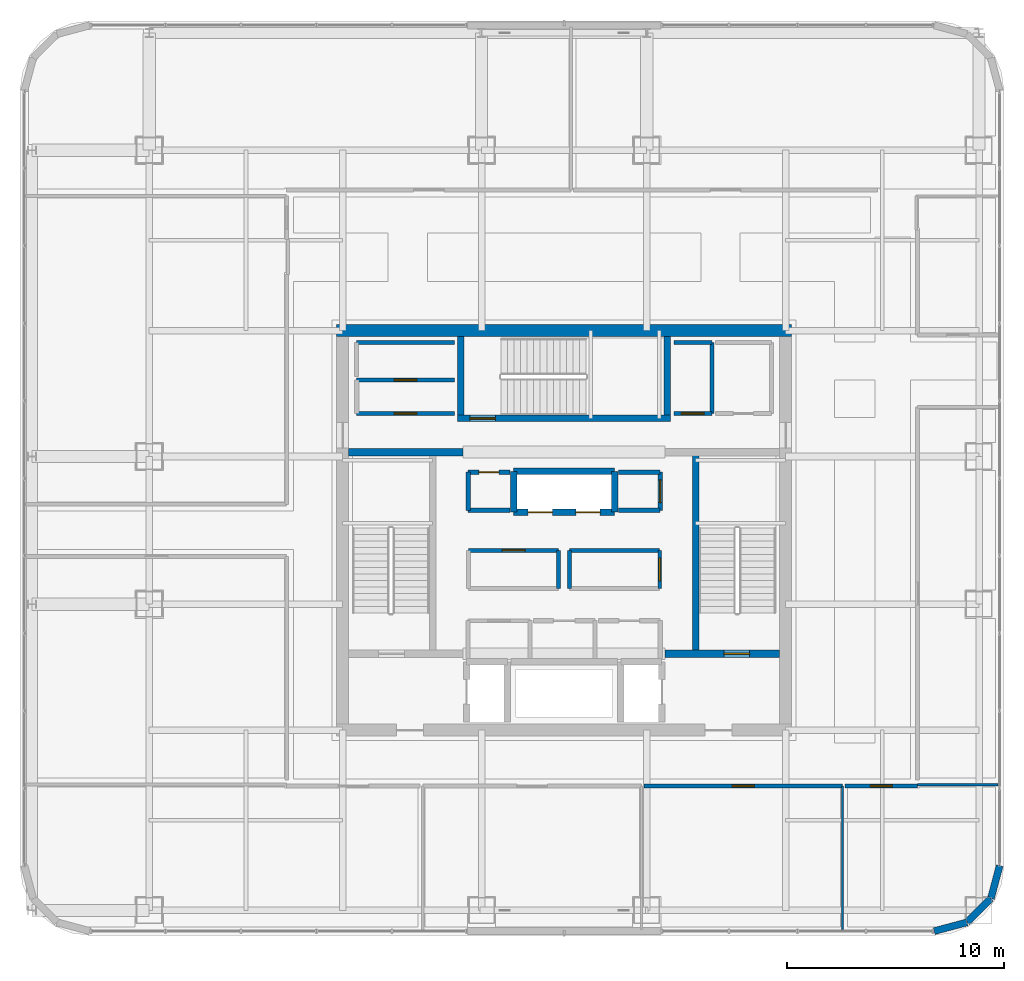
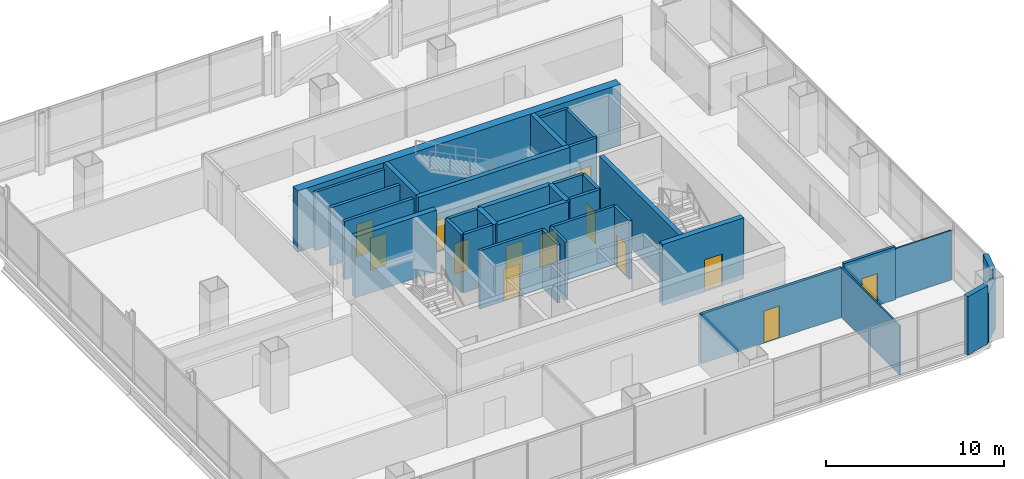
# One storey, part 33 of 43: 35 walls, 13 doors, 13 openings.
"""IFC4 building model written with IfcOpenShell, lengths in metres."""

from ifc_helpers import new_model, si_unit, direction, frame, frame_2d, origin, place, context, subcontext, project, spatial, rectangle, extrude, material, layer, layer_set, type_object, element, fill, save


model = new_model("IFC4")

# Units and contexts
model_context = context("Model", 3, precision=1e-05, world=origin(), true_north=direction((0.0, 1.0)))
body_context = subcontext(model_context, "Body", "Model", "MODEL_VIEW")
ifc_project = project(units=[si_unit("LENGTHUNIT", "METRE"), si_unit("AREAUNIT", "SQUARE_METRE"), si_unit("VOLUMEUNIT", "CUBIC_METRE"), si_unit("PLANEANGLEUNIT", "RADIAN"), si_unit("MASSUNIT", "GRAM", prefix="KILO")], contexts=[model_context])

# Site, building, storey
site_placement = place(None, origin())
site = spatial("IfcSite", under=ifc_project, at=site_placement, CompositionType="ELEMENT")
building_placement = place(site_placement, origin())
building = spatial("IfcBuilding", under=site, at=building_placement, Name="Punatoya Terracotta Tower", CompositionType="ELEMENT")
storey_placement = place(building_placement, frame((0.0, 0.0, 300.60009765625)))
storey = spatial("IfcBuildingStorey", under=building, at=storey_placement, Name="L71", CompositionType="ELEMENT", Elevation=300.60009765625)

# Walls
ifc_material_1 = material(Name="Concrete C50/60", Category="concrete")
ifc_layer_1 = layer(ifc_material_1, 0.550048828125)
ifc_layer_set_1 = layer_set([ifc_layer_1], Name="Concrete C50/60")
wall_type_1 = type_object("IfcWallType", Name="WL-COR-550", PredefinedType="SHEAR", material=ifc_layer_set_1)
wall_1_placement = place(storey_placement, frame((-10.47509765625, 9.199951171875, 0.0), z_axis=(0.0, 0.0, 1.0), x_axis=(1.0, 0.0, 0.0)))
element("IfcWall", 1, at=wall_1_placement, inside=storey, type_object=wall_type_1, Name="L71 Core Shear Wall N", PredefinedType="SHEAR", context=body_context, shape_type="SweptSolid", body=[
    extrude(rectangle(XDim=20.9501953125, YDim=0.550048828125, at=frame_2d((10.47509765625, 0.0))), origin(), (0.0, 0.0, 1.0), 4.199951171875),
])
ifc_material_2 = material(Name="Gypsum Fireboard + Steel Stud", Category="steel")
ifc_layer_2 = layer(ifc_material_2, 0.179931640625)
ifc_layer_set_2 = layer_set([ifc_layer_2], Name="Gypsum Fireboard + Steel Stud")
wall_type_2 = type_object("IfcWallType", Name="WL-CORR-180", PredefinedType="PARTITIONING", material=ifc_layer_set_2)
wall_2_placement = place(storey_placement, frame((-0.25, -2.679931640625, 0.0), z_axis=(0.0, 0.0, 1.0), x_axis=(0.0, 1.0, 0.0)))
element("IfcWall", 2, at=wall_2_placement, inside=storey, type_object=wall_type_2, Name="L71 West Core Focus Pod Partition 08", PredefinedType="PARTITIONING", context=body_context, shape_type="SweptSolid", body=[
    extrude(rectangle(XDim=1.760009765625, YDim=0.179931640625, at=frame_2d((0.8798828125, 0.0))), origin(), (0.0, 0.0, 1.0), 4.0),
])

# Wall, opening, door
wall_3_placement = place(storey_placement, frame((-0.25, -0.919921875, 0.0), z_axis=(0.0, 0.0, 1.0), x_axis=(-1.0, 0.0, 0.0)))
wall_3 = element("IfcWall", 3, at=wall_3_placement, inside=storey, type_object=wall_type_2, Name="L71 West Core Focus Pod Partition 09", PredefinedType="PARTITIONING", context=body_context, shape_type="SweptSolid", body=[
    extrude(rectangle(XDim=4.14990234375, YDim=0.179931640625, at=frame_2d((2.074951171875, 0.0))), origin(), (0.0, 0.0, 1.0), 4.0),
])
opening_1_placement = place(wall_3_placement, frame((1.550048828125, 0.0, 0.0)))
opening_1 = element("IfcOpeningElement", 4, at=opening_1_placement, cuts=wall_3, Name="Opening OD-01", PredefinedType="OPENING", context=body_context, shape_type="SweptSolid", body=[
    extrude(rectangle(XDim=1.050048828125, YDim=2.199951171875, at=frame_2d((0.52490234375, 1.10009765625))), frame((0.0, 0.099853515625, 0.0), z_axis=(0.0, -1.0, 0.0), x_axis=(1.0, 0.0, 0.0)), (0.0, 0.0, 1.0), 0.199951171875),
])
ifc_material_3 = material(Name="Bengal Teak Solid-Core Leaf")
door_type_1 = type_object("IfcDoorType", Name="DR-OFF-1050", OperationType="NOTDEFINED", PredefinedType="DOOR", material=ifc_material_3)
door_1_placement = place(opening_1_placement, origin())
door_1 = element("IfcDoor", 5, at=door_1_placement, inside=storey, type_object=door_type_1, Name="L71 West Focus Pod Door", OperationType="SINGLE_SWING_RIGHT", OverallHeight=2.199951171875, OverallWidth=1.050048828125, PredefinedType="DOOR", context=body_context, shape_type="SweptSolid", body=[
    extrude(rectangle(XDim=1.050048828125, YDim=2.199951171875, at=frame_2d((0.52490234375, 1.10009765625))), frame((0.0, 0.02490234375, 0.0), z_axis=(0.0, -1.0, 0.0), x_axis=(1.0, 0.0, 0.0)), (0.0, 0.0, 1.0), 0.050048828125),
])
fill(opening_1, door_1)

wall_4_placement = place(storey_placement, frame((4.39990234375, -2.679931640625, 0.0), z_axis=(0.0, 0.0, 1.0), x_axis=(0.0, 1.0, 0.0)))
wall_4 = element("IfcWall", 6, at=wall_4_placement, inside=storey, type_object=wall_type_2, Name="L71 East Core Wellness Room Partition 12", PredefinedType="PARTITIONING", context=body_context, shape_type="SweptSolid", body=[
    extrude(rectangle(XDim=1.760009765625, YDim=0.179931640625, at=frame_2d((0.8798828125, 0.0))), origin(), (0.0, 0.0, 1.0), 4.0),
])
opening_2_placement = place(wall_4_placement, frame((0.35498046875, 0.0, 0.0)))
opening_2 = element("IfcOpeningElement", 7, at=opening_2_placement, cuts=wall_4, Name="Opening OD-01", PredefinedType="OPENING", context=body_context, shape_type="SweptSolid", body=[
    extrude(rectangle(XDim=1.050048828125, YDim=2.199951171875, at=frame_2d((0.52490234375, 1.10009765625))), frame((0.0, 0.099853515625, 0.0), z_axis=(0.0, -1.0, 0.0), x_axis=(1.0, 0.0, 0.0)), (0.0, 0.0, 1.0), 0.199951171875),
])
door_2_placement = place(opening_2_placement, origin())
door_2 = element("IfcDoor", 8, at=door_2_placement, inside=storey, type_object=door_type_1, Name="L71 East Wellness Room Door", OperationType="SINGLE_SWING_LEFT", OverallHeight=2.199951171875, OverallWidth=1.050048828125, PredefinedType="DOOR", context=body_context, shape_type="SweptSolid", body=[
    extrude(rectangle(XDim=1.050048828125, YDim=2.199951171875, at=frame_2d((0.52490234375, 1.10009765625))), frame((0.0, 0.02490234375, 0.0), z_axis=(0.0, -1.0, 0.0), x_axis=(1.0, 0.0, 0.0)), (0.0, 0.0, 1.0), 0.050048828125),
])
fill(opening_2, door_2)

# Walls
wall_5_placement = place(storey_placement, frame((4.39990234375, -0.919921875, 0.0), z_axis=(0.0, 0.0, 1.0), x_axis=(-1.0, 0.0, 0.0)))
element("IfcWall", 9, at=wall_5_placement, inside=storey, type_object=wall_type_2, Name="L71 East Core Wellness Room Partition 13", PredefinedType="PARTITIONING", context=body_context, shape_type="SweptSolid", body=[
    extrude(rectangle(XDim=4.14990234375, YDim=0.179931640625, at=frame_2d((2.074951171875, 0.0))), origin(), (0.0, 0.0, 1.0), 4.0),
])
wall_6_placement = place(storey_placement, frame((0.25, -0.919921875, 0.0), z_axis=(0.0, 0.0, 1.0), x_axis=(0.0, -1.0, 0.0)))
element("IfcWall", 10, at=wall_6_placement, inside=storey, type_object=wall_type_2, Name="L71 East Core Wellness Room Partition 14", PredefinedType="PARTITIONING", context=body_context, shape_type="SweptSolid", body=[
    extrude(rectangle(XDim=1.760009765625, YDim=0.179931640625, at=frame_2d((0.8798828125, 0.0))), origin(), (0.0, 0.0, 1.0), 4.0),
])
wall_7_placement = place(storey_placement, frame((-5.050048828125, 8.64990234375, 0.0), z_axis=(0.0, 0.0, 1.0), x_axis=(-1.0, 0.0, 0.0)))
element("IfcWall", 11, at=wall_7_placement, inside=storey, type_object=wall_type_2, Name="L71 West Core Copy Room Partition 25", PredefinedType="PARTITIONING", context=body_context, shape_type="SweptSolid", body=[
    extrude(rectangle(XDim=4.5, YDim=0.179931640625, at=frame_2d((2.25, 0.0))), origin(), (0.0, 0.0, 1.0), 4.0),
])
wall_8_placement = place(storey_placement, frame((6.800048828125, 5.3798828125, 0.0), z_axis=(0.0, 0.0, 1.0), x_axis=(0.0, 1.0, 0.0)))
element("IfcWall", 12, at=wall_8_placement, inside=storey, type_object=wall_type_2, Name="L71 East Core Focus Office Partition 27", PredefinedType="PARTITIONING", context=body_context, shape_type="SweptSolid", body=[
    extrude(rectangle(XDim=3.27001953125, YDim=0.179931640625, at=frame_2d((1.635009765625, 0.0))), origin(), (0.0, 0.0, 1.0), 4.0),
])
wall_9_placement = place(storey_placement, frame((6.800048828125, 8.64990234375, 0.0), z_axis=(0.0, 0.0, 1.0), x_axis=(-1.0, 0.0, 0.0)))
element("IfcWall", 13, at=wall_9_placement, inside=storey, type_object=wall_type_2, Name="L71 East Core Focus Office Partition 28", PredefinedType="PARTITIONING", context=body_context, shape_type="SweptSolid", body=[
    extrude(rectangle(XDim=1.75, YDim=0.179931640625, at=frame_2d((0.875, 0.0))), origin(), (0.0, 0.0, 1.0), 4.0),
])

# Wall, opening, door
wall_10_placement = place(storey_placement, frame((5.050048828125, 5.3798828125, 0.0), z_axis=(0.0, 0.0, 1.0), x_axis=(1.0, 0.0, 0.0)))
wall_10 = element("IfcWall", 14, at=wall_10_placement, inside=storey, type_object=wall_type_2, Name="L71 East Core Focus Office Partition 29", PredefinedType="PARTITIONING", context=body_context, shape_type="SweptSolid", body=[
    extrude(rectangle(XDim=1.75, YDim=0.179931640625, at=frame_2d((0.875, 0.0))), origin(), (0.0, 0.0, 1.0), 4.0),
])
opening_3_placement = place(wall_10_placement, frame((0.35009765625, 0.0, 0.0)))
opening_3 = element("IfcOpeningElement", 15, at=opening_3_placement, cuts=wall_10, Name="Opening OD-01", PredefinedType="OPENING", context=body_context, shape_type="SweptSolid", body=[
    extrude(rectangle(XDim=1.050048828125, YDim=2.199951171875, at=frame_2d((0.52490234375, 1.10009765625))), frame((0.0, 0.099853515625, 0.0), z_axis=(0.0, -1.0, 0.0), x_axis=(1.0, 0.0, 0.0)), (0.0, 0.0, 1.0), 0.199951171875),
])
door_3_placement = place(opening_3_placement, origin())
door_3 = element("IfcDoor", 16, at=door_3_placement, inside=storey, type_object=door_type_1, Name="L71 East Focus Office Door", OperationType="SINGLE_SWING_RIGHT", OverallHeight=2.199951171875, OverallWidth=1.050048828125, PredefinedType="DOOR", context=body_context, shape_type="SweptSolid", body=[
    extrude(rectangle(XDim=1.050048828125, YDim=2.199951171875, at=frame_2d((0.52490234375, 1.10009765625))), frame((0.0, 0.02490234375, 0.0), z_axis=(0.0, -1.0, 0.0), x_axis=(1.0, 0.0, 0.0)), (0.0, 0.0, 1.0), 0.050048828125),
])
fill(opening_3, door_3)

wall_11_placement = place(storey_placement, frame((3.678955078125, -11.77001953125, 0.0), z_axis=(0.0, 0.0, 1.0), x_axis=(1.0, 0.0, 0.0)))
wall_11 = element("IfcWall", 17, at=wall_11_placement, inside=storey, type_object=wall_type_2, Name="L71 Open-Plan Client Strategy Boardroom Partition 37", PredefinedType="PARTITIONING", context=body_context, shape_type="SweptSolid", body=[
    extrude(rectangle(XDim=9.14013671875, YDim=0.179931640625, at=frame_2d((4.570068359375, 0.0))), origin(), (0.0, 0.0, 1.0), 3.393798828125),
])
opening_4_placement = place(wall_11_placement, frame((4.06005859375, 0.0, 0.0)))
opening_4 = element("IfcOpeningElement", 18, at=opening_4_placement, cuts=wall_11, Name="Opening MD-01", PredefinedType="OPENING", context=body_context, shape_type="SweptSolid", body=[
    extrude(rectangle(XDim=1.02001953125, YDim=2.199951171875, at=frame_2d((0.510009765625, 1.10009765625))), frame((0.0, 0.099853515625, 0.0), z_axis=(0.0, -1.0, 0.0), x_axis=(1.0, 0.0, 0.0)), (0.0, 0.0, 1.0), 0.199951171875),
])
ifc_material_4 = material(Name="Aluminium + Acoustic Glass Leaf", Category="aluminium")
door_type_2 = type_object("IfcDoorType", Name="DR-MTG-1020", OperationType="NOTDEFINED", PredefinedType="DOOR", material=ifc_material_4)
door_4_placement = place(opening_4_placement, origin())
door_4 = element("IfcDoor", 19, at=door_4_placement, inside=storey, type_object=door_type_2, Name="L71 Open-Plan Client Strategy Boardroom Door", OperationType="SINGLE_SWING_LEFT", OverallHeight=2.199951171875, OverallWidth=1.02001953125, PredefinedType="DOOR", context=body_context, shape_type="SweptSolid", body=[
    extrude(rectangle(XDim=1.02001953125, YDim=2.199951171875, at=frame_2d((0.510009765625, 1.10009765625))), frame((0.0, 0.02490234375, 0.0), z_axis=(0.0, -1.0, 0.0), x_axis=(1.0, 0.0, 0.0)), (0.0, 0.0, 1.0), 0.050048828125),
])
fill(opening_4, door_4)

wall_12_placement = place(storey_placement, frame((12.93896484375, -11.77001953125, 0.0), z_axis=(0.0, 0.0, 1.0), x_axis=(1.0, 0.0, 0.0)))
wall_12 = element("IfcWall", 20, at=wall_12_placement, inside=storey, type_object=wall_type_2, Name="L71 Open-Plan Executive Briefing Room Partition 41", PredefinedType="PARTITIONING", context=body_context, shape_type="SweptSolid", body=[
    extrude(rectangle(XDim=3.3310546875, YDim=0.179931640625, at=frame_2d((1.66552734375, 0.0))), origin(), (0.0, 0.0, 1.0), 3.6337890625),
])
opening_5_placement = place(wall_12_placement, frame((1.155517578125, 0.0, 0.0)))
opening_5 = element("IfcOpeningElement", 21, at=opening_5_placement, cuts=wall_12, Name="Opening MD-01", PredefinedType="OPENING", context=body_context, shape_type="SweptSolid", body=[
    extrude(rectangle(XDim=1.02001953125, YDim=2.199951171875, at=frame_2d((0.510009765625, 1.10009765625))), frame((0.0, 0.099853515625, 0.0), z_axis=(0.0, -1.0, 0.0), x_axis=(1.0, 0.0, 0.0)), (0.0, 0.0, 1.0), 0.199951171875),
])
door_5_placement = place(opening_5_placement, origin())
door_5 = element("IfcDoor", 22, at=door_5_placement, inside=storey, type_object=door_type_2, Name="L71 Open-Plan Executive Briefing Room Door", OperationType="SINGLE_SWING_LEFT", OverallHeight=2.199951171875, OverallWidth=1.02001953125, PredefinedType="DOOR", context=body_context, shape_type="SweptSolid", body=[
    extrude(rectangle(XDim=1.02001953125, YDim=2.199951171875, at=frame_2d((0.510009765625, 1.10009765625))), frame((0.0, 0.02490234375, 0.0), z_axis=(0.0, -1.0, 0.0), x_axis=(1.0, 0.0, 0.0)), (0.0, 0.0, 1.0), 0.050048828125),
])
fill(opening_5, door_5)

# Walls
ifc_material_5 = material(Name="Precast concrete C40/50", Category="concrete")
ifc_layer_3 = layer(ifc_material_5, 0.320068359375)
ifc_layer_set_3 = layer_set([ifc_layer_3], Name="Precast concrete C40/50")
wall_type_3 = type_object("IfcWallType", Name="WL-EXT-320", PredefinedType="SOLIDWALL", material=ifc_layer_set_3)
wall_13_placement = place(storey_placement, frame((17.036865234375, -18.449951171875, 0.0), z_axis=(0.0, 0.0, 1.0), x_axis=(0.966224582397, 0.257701486942, 0.0)))
element("IfcWall", 23, at=wall_13_placement, inside=storey, type_object=wall_type_3, Name="L71 Rounded Terracotta Corner Pier 02", PredefinedType="SOLIDWALL", context=body_context, shape_type="SweptSolid", body=[
    extrude(rectangle(XDim=1.565185546875, YDim=0.320068359375, at=frame_2d((0.78271484375, 0.0))), origin(), (0.0, 0.0, 1.0), 4.0),
])
wall_14_placement = place(storey_placement, frame((18.549072265625, -18.046630859375, 0.0), z_axis=(0.0, 0.0, 1.0), x_axis=(0.707106781187, 0.707106781187, 0.0)))
element("IfcWall", 24, at=wall_14_placement, inside=storey, type_object=wall_type_3, Name="L71 Rounded Terracotta Corner Pier 03", PredefinedType="SOLIDWALL", context=body_context, shape_type="SweptSolid", body=[
    extrude(rectangle(XDim=1.552001953125, YDim=0.320068359375, at=frame_2d((0.77587890625, 0.0))), origin(), (0.0, 0.0, 1.0), 3.393798828125),
])
wall_15_placement = place(storey_placement, frame((19.646484375, -16.94921875, 0.0), z_axis=(0.0, 0.0, 1.0), x_axis=(0.257847112249, 0.966185730957, 0.0)))
element("IfcWall", 25, at=wall_15_placement, inside=storey, type_object=wall_type_3, Name="L71 Rounded Terracotta Corner Pier 04", PredefinedType="SOLIDWALL", context=body_context, shape_type="SweptSolid", body=[
    extrude(rectangle(XDim=1.565185546875, YDim=0.320068359375, at=frame_2d((0.78271484375, 0.0))), origin(), (0.0, 0.0, 1.0), 4.0),
])
ifc_material_6 = material(Name="Aluminium Framed Acoustic Glass Partition", Category="aluminium")
ifc_layer_4 = layer(ifc_material_6, 0.10009765625)
ifc_layer_set_4 = layer_set([ifc_layer_4], Name="Aluminium Framed Acoustic Glass Partition")
wall_type_4 = type_object("IfcWallType", Name="WL-GLZ-100", PredefinedType="PARTITIONING", material=ifc_layer_set_4)
wall_16_placement = place(storey_placement, frame((12.819091796875, -11.77001953125, 0.0), z_axis=(0.0, 0.0, 1.0), x_axis=(0.0, -1.0, 0.0)))
element("IfcWall", 26, at=wall_16_placement, inside=storey, type_object=wall_type_4, Name="L71 Open-Plan Client Strategy Boardroom Partition 36", PredefinedType="PARTITIONING", context=body_context, shape_type="SweptSolid", body=[
    extrude(rectangle(XDim=6.60009765625, YDim=0.10009765625, at=frame_2d((3.300048828125, 0.0))), origin(), (0.0, 0.0, 1.0), 3.393798828125),
])
wall_17_placement = place(storey_placement, frame((16.27001953125, -11.7099609375, 0.0), z_axis=(0.0, 0.0, 1.0), x_axis=(1.0, 0.0, 0.0)))
element("IfcWall", 27, at=wall_17_placement, inside=storey, type_object=wall_type_4, Name="L71 Open-Plan Executive Briefing Room Partition 40", PredefinedType="PARTITIONING", context=body_context, shape_type="SweptSolid", body=[
    extrude(rectangle(XDim=3.699951171875, YDim=0.10009765625, at=frame_2d((1.85009765625, 0.0))), origin(), (0.0, 0.0, 1.0), 3.393798828125),
])

# Wall, opening, door
ifc_material_7 = material(Name="Concrete C40/50", Category="concrete")
ifc_layer_5 = layer(ifc_material_7, 0.199951171875)
ifc_layer_set_5 = layer_set([ifc_layer_5], Name="Concrete C40/50")
wall_type_5 = type_object("IfcWallType", Name="WL-INT-200", PredefinedType="SOLIDWALL", material=ifc_layer_set_5)
wall_18_placement = place(storey_placement, frame((-2.5, 2.679931640625, 0.0), z_axis=(0.0, 0.0, 1.0), x_axis=(-1.0, 0.0, 0.0)))
wall_18 = element("IfcWall", 28, at=wall_18_placement, inside=storey, type_object=wall_type_5, Name="L71 Core Security Equipment Closet Partition 16", PredefinedType="SOLIDWALL", context=body_context, shape_type="SweptSolid", body=[
    extrude(rectangle(XDim=1.919921875, YDim=0.199951171875, at=frame_2d((0.9599609375, 0.0))), origin(), (0.0, 0.0, 1.0), 4.0),
])
opening_6_placement = place(wall_18_placement, frame((0.5, 0.0, 0.0)))
opening_6 = element("IfcOpeningElement", 29, at=opening_6_placement, cuts=wall_18, Name="Opening FD-R1", PredefinedType="OPENING", context=body_context, shape_type="SweptSolid", body=[
    extrude(rectangle(XDim=0.919921875, YDim=2.10009765625, at=frame_2d((0.4599609375, 1.050048828125))), frame((0.0, 0.10986328125, 0.0), z_axis=(0.0, -1.0, 0.0), x_axis=(1.0, 0.0, 0.0)), (0.0, 0.0, 1.0), 0.219970703125),
])
ifc_material_8 = material(Name="Galvanised Steel Riser Fire Access Door", Category="steel")
door_type_3 = type_object("IfcDoorType", Name="DR-RSR-920", OperationType="NOTDEFINED", PredefinedType="DOOR", material=ifc_material_8)
door_6_placement = place(opening_6_placement, origin())
door_6 = element("IfcDoor", 30, at=door_6_placement, inside=storey, type_object=door_type_3, Name="L71 Core Security Equipment Closet Fire Door", OperationType="SINGLE_SWING_RIGHT", OverallHeight=2.10009765625, OverallWidth=0.919921875, PredefinedType="DOOR", context=body_context, shape_type="SweptSolid", body=[
    extrude(rectangle(XDim=0.919921875, YDim=2.10009765625, at=frame_2d((0.4599609375, 1.050048828125))), frame((0.0, 0.02490234375, 0.0), z_axis=(0.0, -1.0, 0.0), x_axis=(1.0, 0.0, 0.0)), (0.0, 0.0, 1.0), 0.050048828125),
])
fill(opening_6, door_6)

# Walls
wall_19_placement = place(storey_placement, frame((-4.419921875, 2.679931640625, 0.0), z_axis=(0.0, 0.0, 1.0), x_axis=(0.0, -1.0, 0.0)))
element("IfcWall", 31, at=wall_19_placement, inside=storey, type_object=wall_type_5, Name="L71 Core Security Equipment Closet Partition 17", PredefinedType="SOLIDWALL", context=body_context, shape_type="SweptSolid", body=[
    extrude(rectangle(XDim=1.760009765625, YDim=0.199951171875, at=frame_2d((0.8798828125, 0.0))), origin(), (0.0, 0.0, 1.0), 4.0),
])
wall_20_placement = place(storey_placement, frame((-4.419921875, 0.919921875, 0.0), z_axis=(0.0, 0.0, 1.0), x_axis=(1.0, 0.0, 0.0)))
element("IfcWall", 32, at=wall_20_placement, inside=storey, type_object=wall_type_5, Name="L71 Core Security Equipment Closet Partition 18", PredefinedType="SOLIDWALL", context=body_context, shape_type="SweptSolid", body=[
    extrude(rectangle(XDim=1.919921875, YDim=0.199951171875, at=frame_2d((0.9599609375, 0.0))), origin(), (0.0, 0.0, 1.0), 4.0),
])

# Wall, opening, door
wall_21_placement = place(storey_placement, frame((4.419921875, 0.919921875, 0.0), z_axis=(0.0, 0.0, 1.0), x_axis=(0.0, 1.0, 0.0)))
wall_21 = element("IfcWall", 33, at=wall_21_placement, inside=storey, type_object=wall_type_5, Name="L71 Executive Steward Pantry Partition 19", PredefinedType="SOLIDWALL", context=body_context, shape_type="SweptSolid", body=[
    extrude(rectangle(XDim=1.760009765625, YDim=0.199951171875, at=frame_2d((0.8798828125, 0.0))), origin(), (0.0, 0.0, 1.0), 4.0),
])
opening_7_placement = place(wall_21_placement, frame((0.35498046875, 0.0, 0.0)))
opening_7 = element("IfcOpeningElement", 34, at=opening_7_placement, cuts=wall_21, Name="Opening OD-01", PredefinedType="OPENING", context=body_context, shape_type="SweptSolid", body=[
    extrude(rectangle(XDim=1.050048828125, YDim=2.199951171875, at=frame_2d((0.52490234375, 1.10009765625))), frame((0.0, 0.10986328125, 0.0), z_axis=(0.0, -1.0, 0.0), x_axis=(1.0, 0.0, 0.0)), (0.0, 0.0, 1.0), 0.219970703125),
])
door_7_placement = place(opening_7_placement, origin())
door_7 = element("IfcDoor", 35, at=door_7_placement, inside=storey, type_object=door_type_1, Name="L71 Executive Steward Pantry Door", OperationType="SINGLE_SWING_LEFT", OverallHeight=2.199951171875, OverallWidth=1.050048828125, PredefinedType="DOOR", context=body_context, shape_type="SweptSolid", body=[
    extrude(rectangle(XDim=1.050048828125, YDim=2.199951171875, at=frame_2d((0.52490234375, 1.10009765625))), frame((0.0, 0.02490234375, 0.0), z_axis=(0.0, -1.0, 0.0), x_axis=(1.0, 0.0, 0.0)), (0.0, 0.0, 1.0), 0.050048828125),
])
fill(opening_7, door_7)

# Walls
for number, where, z_axis, x_axis, name in (
    (36, (4.419921875, 2.679931640625, 0.0), (0.0, 0.0, 1.0), (-1.0, 0.0, 0.0), "L71 Executive Steward Pantry Partition 20"),
    (37, (2.5, 0.919921875, 0.0), (0.0, 0.0, 1.0), (1.0, 0.0, 0.0), "L71 Executive Steward Pantry Partition 21"),
):
    element("IfcWall", number, at=place(storey_placement, frame(where, z_axis=z_axis, x_axis=x_axis)), inside=storey, type_object=wall_type_5, Name=name, PredefinedType="SOLIDWALL", context=body_context, shape_type="SweptSolid", body=[
        extrude(rectangle(XDim=1.919921875, YDim=0.199951171875, at=frame_2d((0.9599609375, 0.0))), origin(), (0.0, 0.0, 1.0), 4.0),
    ])

# Wall, opening, door
wall_22_placement = place(storey_placement, frame((-5.050048828125, 6.919921875, 0.0), z_axis=(0.0, 0.0, 1.0), x_axis=(-1.0, 0.0, 0.0)))
wall_22 = element("IfcWall", 38, at=wall_22_placement, inside=storey, type_object=wall_type_5, Name="L71 West Core Tea Pantry Partition 22", PredefinedType="SOLIDWALL", context=body_context, shape_type="SweptSolid", body=[
    extrude(rectangle(XDim=4.5, YDim=0.199951171875, at=frame_2d((2.25, 0.0))), origin(), (0.0, 0.0, 1.0), 4.0),
])
opening_8_placement = place(wall_22_placement, frame((1.72509765625, 0.0, 0.0)))
opening_8 = element("IfcOpeningElement", 39, at=opening_8_placement, cuts=wall_22, Name="Opening OD-01", PredefinedType="OPENING", context=body_context, shape_type="SweptSolid", body=[
    extrude(rectangle(XDim=1.050048828125, YDim=2.199951171875, at=frame_2d((0.52490234375, 1.10009765625))), frame((0.0, 0.10986328125, 0.0), z_axis=(0.0, -1.0, 0.0), x_axis=(1.0, 0.0, 0.0)), (0.0, 0.0, 1.0), 0.219970703125),
])
door_8_placement = place(opening_8_placement, origin())
door_8 = element("IfcDoor", 40, at=door_8_placement, inside=storey, type_object=door_type_1, Name="L71 West Copy Room Door", OperationType="SINGLE_SWING_LEFT", OverallHeight=2.199951171875, OverallWidth=1.050048828125, PredefinedType="DOOR", context=body_context, shape_type="SweptSolid", body=[
    extrude(rectangle(XDim=1.050048828125, YDim=2.199951171875, at=frame_2d((0.52490234375, 1.10009765625))), frame((0.0, 0.02490234375, 0.0), z_axis=(0.0, -1.0, 0.0), x_axis=(1.0, 0.0, 0.0)), (0.0, 0.0, 1.0), 0.050048828125),
])
fill(opening_8, door_8)

wall_23_placement = place(storey_placement, frame((-9.550048828125, 5.3798828125, 0.0), z_axis=(0.0, 0.0, 1.0), x_axis=(1.0, 0.0, 0.0)))
wall_23 = element("IfcWall", 41, at=wall_23_placement, inside=storey, type_object=wall_type_5, Name="L71 West Core Tea Pantry Partition 24", PredefinedType="SOLIDWALL", context=body_context, shape_type="SweptSolid", body=[
    extrude(rectangle(XDim=4.5, YDim=0.199951171875, at=frame_2d((2.25, 0.0))), origin(), (0.0, 0.0, 1.0), 4.0),
])
opening_9_placement = place(wall_23_placement, frame((1.72509765625, 0.0, 0.0)))
opening_9 = element("IfcOpeningElement", 42, at=opening_9_placement, cuts=wall_23, Name="Opening OD-01", PredefinedType="OPENING", context=body_context, shape_type="SweptSolid", body=[
    extrude(rectangle(XDim=1.050048828125, YDim=2.199951171875, at=frame_2d((0.52490234375, 1.10009765625))), frame((0.0, 0.10986328125, 0.0), z_axis=(0.0, -1.0, 0.0), x_axis=(1.0, 0.0, 0.0)), (0.0, 0.0, 1.0), 0.219970703125),
])
door_9_placement = place(opening_9_placement, origin())
door_9 = element("IfcDoor", 43, at=door_9_placement, inside=storey, type_object=door_type_1, Name="L71 West Tea Pantry Door", OperationType="SINGLE_SWING_RIGHT", OverallHeight=2.199951171875, OverallWidth=1.050048828125, PredefinedType="DOOR", context=body_context, shape_type="SweptSolid", body=[
    extrude(rectangle(XDim=1.050048828125, YDim=2.199951171875, at=frame_2d((0.52490234375, 1.10009765625))), frame((0.0, 0.02490234375, 0.0), z_axis=(0.0, -1.0, 0.0), x_axis=(1.0, 0.0, 0.0)), (0.0, 0.0, 1.0), 0.050048828125),
])
fill(opening_9, door_9)

# Walls
ifc_layer_6 = layer(ifc_material_7, 0.300048828125)
ifc_layer_set_6 = layer_set([ifc_layer_6], Name="Concrete C40/50")
wall_type_6 = type_object("IfcWallType", Name="WL-SHF-300", PredefinedType="SOLIDWALL", material=ifc_layer_set_6)
wall_24_placement = place(storey_placement, frame((6.050048828125, 3.449951171875, 0.0), z_axis=(0.0, 0.0, 1.0), x_axis=(0.0, -1.0, 0.0)))
element("IfcWall", 44, at=wall_24_placement, inside=storey, type_object=wall_type_6, Name="L71 Structural Stair Shaft Wall SW-ST2-W", PredefinedType="SOLIDWALL", context=body_context, shape_type="SweptSolid", body=[
    extrude(rectangle(XDim=8.949951171875, YDim=0.300048828125, at=frame_2d((4.47509765625, 0.0))), origin(), (0.0, 0.0, 1.0), 4.199951171875),
])
for number, where, z_axis, x_axis, name in (
    (45, (-4.75, 5.300048828125, 0.0), (0.0, 0.0, 1.0), (0.0, 1.0, 0.0), "L71 Structural Stair Shaft Wall SW-ST3-W"),
    (46, (4.75, 8.925048828125, 0.0), (0.0, 0.0, 1.0), (0.0, -1.0, 0.0), "L71 Structural Stair Shaft Wall SW-ST3-E"),
):
    element("IfcWall", number, at=place(storey_placement, frame(where, z_axis=z_axis, x_axis=x_axis)), inside=storey, type_object=wall_type_6, Name=name, PredefinedType="SOLIDWALL", context=body_context, shape_type="SweptSolid", body=[
        extrude(rectangle(XDim=3.625, YDim=0.300048828125, at=frame_2d((1.8125, 0.0))), origin(), (0.0, 0.0, 1.0), 4.199951171875),
    ])

# Wall, opening, door
wall_25_placement = place(storey_placement, frame((-4.89990234375, 5.14990234375, 0.0), z_axis=(0.0, 0.0, 1.0), x_axis=(1.0, 0.0, 0.0)))
wall_25 = element("IfcWall", 47, at=wall_25_placement, inside=storey, type_object=wall_type_6, Name="L71 Structural Stair Shaft Wall SW-ST3-S", PredefinedType="SOLIDWALL", context=body_context, shape_type="SweptSolid", body=[
    extrude(rectangle(XDim=9.7998046875, YDim=0.300048828125, at=frame_2d((4.89990234375, 0.0))), origin(), (0.0, 0.0, 1.0), 4.199951171875),
])
opening_10_placement = place(wall_25_placement, frame((0.56005859375, 0.0, 0.0)))
opening_10 = element("IfcOpeningElement", 48, at=opening_10_placement, cuts=wall_25, Name="Opening SD-01", PredefinedType="OPENING", context=body_context, shape_type="SweptSolid", body=[
    extrude(rectangle(XDim=1.179931640625, YDim=2.199951171875, at=frame_2d((0.58984375, 1.10009765625))), frame((0.0, 0.159912109375, 0.0), z_axis=(0.0, -1.0, 0.0), x_axis=(1.0, 0.0, 0.0)), (0.0, 0.0, 1.0), 0.320068359375),
])
ifc_material_9 = material(Name="Galvanised Steel Pressurized Stair Fire Door", Category="steel")
door_type_4 = type_object("IfcDoorType", Name="DR-STR-1180", OperationType="NOTDEFINED", PredefinedType="DOOR", material=ifc_material_9)
door_10_placement = place(opening_10_placement, origin())
door_10 = element("IfcDoor", 49, at=door_10_placement, inside=storey, type_object=door_type_4, Name="L71 Stair ST-3 Core Lobby Fire Door", OperationType="SINGLE_SWING_LEFT", OverallHeight=2.199951171875, OverallWidth=1.179931640625, PredefinedType="DOOR", context=body_context, shape_type="SweptSolid", body=[
    extrude(rectangle(XDim=1.179931640625, YDim=2.199951171875, at=frame_2d((0.58984375, 1.10009765625))), frame((0.0, 0.02490234375, 0.0), z_axis=(0.0, -1.0, 0.0), x_axis=(1.0, 0.0, 0.0)), (0.0, 0.0, 1.0), 0.050048828125),
])
fill(opening_10, door_10)

# Wall, openings, doors
wall_26_placement = place(storey_placement, frame((-2.320068359375, 0.840087890625, 0.0), z_axis=(0.0, 0.0, 1.0), x_axis=(1.0, 0.0, 0.0)))
wall_26 = element("IfcWall", 50, at=wall_26_placement, inside=storey, type_object=wall_type_6, Name="L71 North Lift Bank Front Shaft Wall", PredefinedType="SOLIDWALL", context=body_context, shape_type="SweptSolid", body=[
    extrude(rectangle(XDim=4.64013671875, YDim=0.300048828125, at=frame_2d((2.320068359375, 0.0))), origin(), (0.0, 0.0, 1.0), 4.0),
])
opening_11_placement = place(wall_26_placement, frame((0.659912109375, 0.0, 0.0)))
opening_11 = element("IfcOpeningElement", 51, at=opening_11_placement, cuts=wall_26, Name="Opening LD-02", PredefinedType="OPENING", context=body_context, shape_type="SweptSolid", body=[
    extrude(rectangle(XDim=1.1201171875, YDim=2.25, at=frame_2d((0.56005859375, 1.125))), frame((0.0, 0.159912109375, 0.0), z_axis=(0.0, -1.0, 0.0), x_axis=(1.0, 0.0, 0.0)), (0.0, 0.0, 1.0), 0.320068359375),
])
opening_12_placement = place(wall_26_placement, frame((2.860107421875, 0.0, 0.0)))
opening_12 = element("IfcOpeningElement", 52, at=opening_12_placement, cuts=wall_26, Name="Opening LD-02", PredefinedType="OPENING", context=body_context, shape_type="SweptSolid", body=[
    extrude(rectangle(XDim=1.1201171875, YDim=2.25, at=frame_2d((0.56005859375, 1.125))), frame((0.0, 0.159912109375, 0.0), z_axis=(0.0, -1.0, 0.0), x_axis=(1.0, 0.0, 0.0)), (0.0, 0.0, 1.0), 0.320068359375),
])
ifc_material_10 = material(Name="Stainless Steel Lift Landing Door", Category="steel")
door_type_5 = type_object("IfcDoorType", Name="DR-LND-1120", OperationType="NOTDEFINED", PredefinedType="DOOR", material=ifc_material_10)
door_11_placement = place(opening_11_placement, origin())
door_11 = element("IfcDoor", 53, at=door_11_placement, inside=storey, type_object=door_type_5, Name="L71 Lift PL-E1 Sliding Landing Door", OperationType="DOUBLE_DOOR_SLIDING", OverallHeight=2.25, OverallWidth=1.1201171875, PredefinedType="DOOR", context=body_context, shape_type="SweptSolid", body=[
    extrude(rectangle(XDim=1.1201171875, YDim=2.25, at=frame_2d((0.56005859375, 1.125))), frame((0.0, 0.02490234375, 0.0), z_axis=(0.0, -1.0, 0.0), x_axis=(1.0, 0.0, 0.0)), (0.0, 0.0, 1.0), 0.050048828125),
])
fill(opening_11, door_11)
door_12_placement = place(opening_12_placement, origin())
door_12 = element("IfcDoor", 54, at=door_12_placement, inside=storey, type_object=door_type_5, Name="L71 Lift PL-E2 Sliding Landing Door", OperationType="DOUBLE_DOOR_SLIDING", OverallHeight=2.25, OverallWidth=1.1201171875, PredefinedType="DOOR", context=body_context, shape_type="SweptSolid", body=[
    extrude(rectangle(XDim=1.1201171875, YDim=2.25, at=frame_2d((0.56005859375, 1.125))), frame((0.0, 0.02490234375, 0.0), z_axis=(0.0, -1.0, 0.0), x_axis=(1.0, 0.0, 0.0)), (0.0, 0.0, 1.0), 0.050048828125),
])
fill(opening_12, door_12)

# Walls
wall_27_placement = place(storey_placement, frame((-2.320068359375, 2.719970703125, 0.0), z_axis=(0.0, 0.0, 1.0), x_axis=(1.0, 0.0, 0.0)))
element("IfcWall", 55, at=wall_27_placement, inside=storey, type_object=wall_type_6, Name="L71 North Lift Bank Rear Shaft Wall", PredefinedType="SOLIDWALL", context=body_context, shape_type="SweptSolid", body=[
    extrude(rectangle(XDim=4.64013671875, YDim=0.300048828125, at=frame_2d((2.320068359375, 0.0))), origin(), (0.0, 0.0, 1.0), 4.0),
])
for number, where, z_axis, x_axis, name in (
    (56, (-2.320068359375, 0.840087890625, 0.0), (0.0, 0.0, 1.0), (0.0, 1.0, 0.0), "L71 North Lift Bank West End Wall"),
    (57, (2.320068359375, 0.840087890625, 0.0), (0.0, 0.0, 1.0), (0.0, 1.0, 0.0), "L71 North Lift Bank East End Wall"),
):
    element("IfcWall", number, at=place(storey_placement, frame(where, z_axis=z_axis, x_axis=x_axis)), inside=storey, type_object=wall_type_6, Name=name, PredefinedType="SOLIDWALL", context=body_context, shape_type="SweptSolid", body=[
        extrude(rectangle(XDim=1.8798828125, YDim=0.300048828125, at=frame_2d((0.93994140625, 0.0))), origin(), (0.0, 0.0, 1.0), 4.0),
    ])

# Wall, opening, door
ifc_layer_7 = layer(ifc_material_1, 0.35009765625)
ifc_layer_set_7 = layer_set([ifc_layer_7], Name="Concrete C50/60")
wall_type_7 = type_object("IfcWallType", Name="WL-SHF-350", PredefinedType="SOLIDWALL", material=ifc_layer_set_7)
wall_28_placement = place(storey_placement, frame((4.64990234375, -5.679931640625, 0.0), z_axis=(0.0, 0.0, 1.0), x_axis=(1.0, 0.0, 0.0)))
wall_28 = element("IfcWall", 58, at=wall_28_placement, inside=storey, type_object=wall_type_7, Name="L71 Core Web Wall CSW-R", PredefinedType="SOLIDWALL", context=body_context, shape_type="SweptSolid", body=[
    extrude(rectangle(XDim=5.275146484375, YDim=0.35009765625, at=frame_2d((2.6376953125, 0.0))), origin(), (0.0, 0.0, 1.0), 4.199951171875),
])
opening_13_placement = place(wall_28_placement, frame((2.7099609375, 0.0, 0.0)))
opening_13 = element("IfcOpeningElement", 59, at=opening_13_placement, cuts=wall_28, Name="Opening SD-01", PredefinedType="OPENING", context=body_context, shape_type="SweptSolid", body=[
    extrude(rectangle(XDim=1.179931640625, YDim=2.199951171875, at=frame_2d((0.58984375, 1.10009765625))), frame((0.0, 0.18505859375, 0.0), z_axis=(0.0, -1.0, 0.0), x_axis=(1.0, 0.0, 0.0)), (0.0, 0.0, 1.0), 0.3701171875),
])
door_13_placement = place(opening_13_placement, origin())
door_13 = element("IfcDoor", 60, at=door_13_placement, inside=storey, type_object=door_type_4, Name="L71 Stair ST-2 Smokeproof Lobby Fire Door", OperationType="SINGLE_SWING_RIGHT", OverallHeight=2.199951171875, OverallWidth=1.179931640625, PredefinedType="DOOR", context=body_context, shape_type="SweptSolid", body=[
    extrude(rectangle(XDim=1.179931640625, YDim=2.199951171875, at=frame_2d((0.58984375, 1.10009765625))), frame((0.0, 0.02490234375, 0.0), z_axis=(0.0, -1.0, 0.0), x_axis=(1.0, 0.0, 0.0)), (0.0, 0.0, 1.0), 0.050048828125),
])
fill(opening_13, door_13)

# Wall
wall_29_placement = place(storey_placement, frame((-9.925048828125, 3.60009765625, 0.0), z_axis=(0.0, 0.0, 1.0), x_axis=(1.0, 0.0, 0.0)))
element("IfcWall", 61, at=wall_29_placement, inside=storey, type_object=wall_type_7, Name="L71 Core Web Wall CNW-L", PredefinedType="SOLIDWALL", context=body_context, shape_type="SweptSolid", body=[
    extrude(rectangle(XDim=5.275146484375, YDim=0.35009765625, at=frame_2d((2.6376953125, 0.0))), origin(), (0.0, 0.0, 1.0), 4.199951171875),
])

save(model, "model.ifc")
